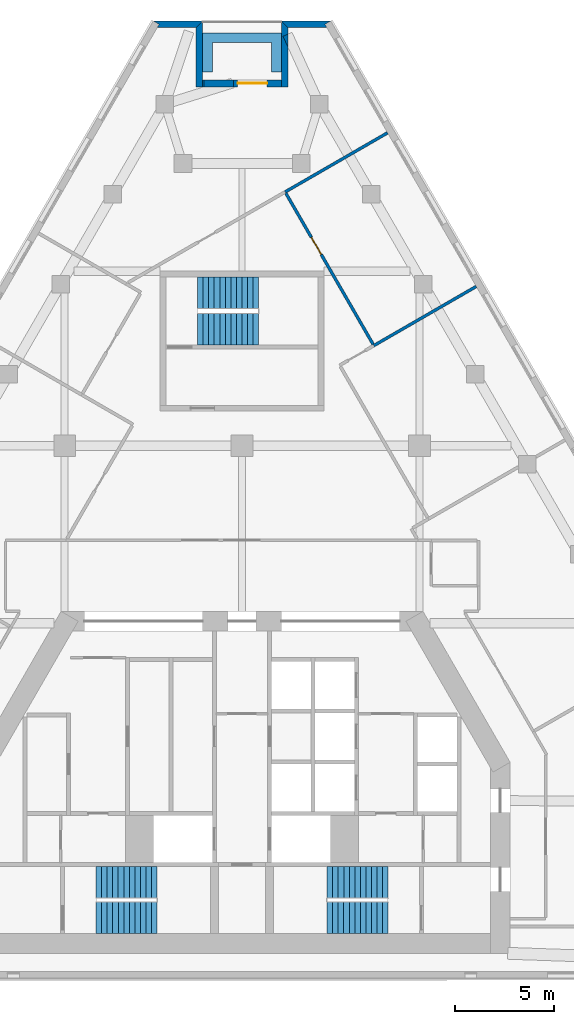
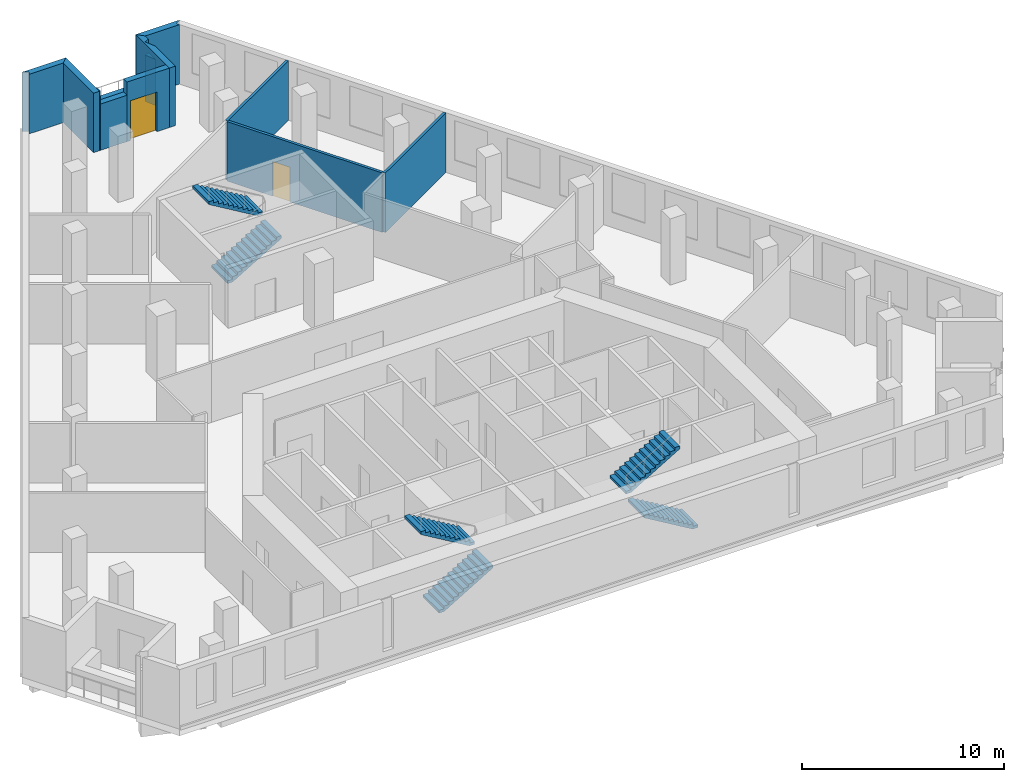
# One storey, part 8 of 9: 12 walls, 6 stair flights, 2 doors, 2 openings, 3 elements without a shape of their own.
"""IFC4 building model written with IfcOpenShell, lengths in metres."""

from ifc_helpers import new_model, si_unit, direction, frame, frame_2d, origin, place, context, subcontext, project, spatial, polyline, rectangle, outline, extrude, material, layer, layer_set, type_object, element, fill, aggregate, save


model = new_model("IFC4")

# Units and contexts
model_context = context("Model", 3, precision=1e-05, world=origin(), true_north=direction((0.0, 1.0)))
body_context = subcontext(model_context, "Body", "Model", "MODEL_VIEW")
ifc_project = project(units=[si_unit("LENGTHUNIT", "METRE"), si_unit("AREAUNIT", "SQUARE_METRE"), si_unit("VOLUMEUNIT", "CUBIC_METRE"), si_unit("PLANEANGLEUNIT", "RADIAN"), si_unit("MASSUNIT", "GRAM", prefix="KILO")], contexts=[model_context])

# Site, building, storey
site_placement = place(None, origin())
site = spatial("IfcSite", under=ifc_project, at=site_placement, CompositionType="ELEMENT")
building_placement = place(site_placement, origin())
building = spatial("IfcBuilding", under=site, at=building_placement, Name="Fogline Exchange Tower", CompositionType="ELEMENT")
storey_placement = place(building_placement, frame((0.0, 0.0, 186.10009765625)))
storey = spatial("IfcBuildingStorey", under=building, at=storey_placement, Name="L41", CompositionType="ELEMENT", Elevation=186.10009765625)

# Walls
ifc_material_1 = material(Name="Brick masonry", Category="masonry")
ifc_layer_1 = layer(ifc_material_1, 0.340087890625)
ifc_layer_set_1 = layer_set([ifc_layer_1], Name="FW1")
wall_type_1 = type_object("IfcWallType", Name="FW1", PredefinedType="SOLIDWALL", material=ifc_layer_set_1)
wall_1_placement = place(storey_placement, origin())
element("IfcWall", 1, at=wall_1_placement, inside=storey, type_object=wall_type_1, Name="Brick wall L41 N-c1", PredefinedType="SOLIDWALL", context=body_context, shape_type="SweptSolid", body=[
    extrude(outline(polyline([(1.9990234375, 48.55224609375), (4.5009765625, 48.55224609375), (4.501220703125, 48.5517578125), (4.206298828125, 48.38134765625), (4.3046875, 48.2109375), (2.33984375, 48.2109375), (1.998779296875, 48.552001953125), (1.9990234375, 48.55224609375)])), origin(), (0.0, 0.0, 1.0), 3.599853515625),
])
wall_2_placement = place(storey_placement, origin())
element("IfcWall", 2, at=wall_2_placement, inside=storey, type_object=wall_type_1, Name="Brick wall L41 N-s1", PredefinedType="SOLIDWALL", context=body_context, shape_type="SweptSolid", body=[
    extrude(outline(polyline([(2.340576171875, 47.19775390625), (2.0791015625, 47.7724609375), (2.340576171875, 47.8916015625), (2.340576171875, 47.19775390625)])), origin(), (0.0, 0.0, 1.0), 2.7998046875),
])
wall_3_placement = place(storey_placement, origin())
element("IfcWall", 3, at=wall_3_placement, inside=storey, type_object=wall_type_1, Name="Brick wall L41 N-s1", PredefinedType="SOLIDWALL", context=body_context, shape_type="SweptSolid", body=[
    extrude(outline(polyline([(1.99951171875, 45.2109375), (1.99951171875, 48.552734375), (1.999755859375, 48.552734375), (2.340576171875, 48.2119140625), (2.340576171875, 47.8916015625), (2.0791015625, 47.7724609375), (2.340576171875, 47.19775390625), (2.340576171875, 45.2109375), (1.99951171875, 45.2109375)])), origin(), (0.0, 0.0, 1.0), 3.599853515625),
])

# Wall, opening, door
wall_4_placement = place(storey_placement, frame((2.0, 45.381591796875, 0.0), z_axis=(0.0, 0.0, 1.0), x_axis=(-1.0, 0.0, 0.0)))
wall_4 = element("IfcWall", 4, at=wall_4_placement, inside=storey, type_object=wall_type_1, Name="Brick wall L41 N-bk", PredefinedType="SOLIDWALL", context=body_context, shape_type="SweptSolid", body=[
    extrude(rectangle(XDim=2.425048828125, YDim=0.340087890625, at=frame_2d((1.21240234375, 0.0))), origin(), (0.0, 0.0, 1.0), 3.599853515625),
])
opening_1_placement = place(wall_4_placement, frame((0.72509765625, 0.0, 0.0)))
opening_1 = element("IfcOpeningElement", 5, at=opening_1_placement, cuts=wall_4, Name="Opening T13-E141", PredefinedType="OPENING", context=body_context, shape_type="SweptSolid", body=[
    extrude(rectangle(XDim=1.5, YDim=2.39990234375, at=frame_2d((0.75, 1.199951171875))), frame((0.0, 0.18017578125, 0.0), z_axis=(0.0, -1.0, 0.0), x_axis=(1.0, 0.0, 0.0)), (0.0, 0.0, 1.0), 0.360107421875),
])
ifc_material_2 = material(Name="Aluminium and glass", Category="aluminium")
door_type_1 = type_object("IfcDoorType", Name="ED4", OperationType="SINGLE_SWING_LEFT", PredefinedType="DOOR", material=ifc_material_2)
door_1_placement = place(opening_1_placement, frame((1.5, 0.0, 0.0), z_axis=(0.0, 0.0, 1.0), x_axis=(-1.0, 0.0, 0.0)))
door_1 = element("IfcDoor", 6, at=door_1_placement, inside=storey, type_object=door_type_1, Name="Balcony door L41 N", OperationType="DOUBLE_DOOR_SINGLE_SWING", OverallHeight=2.39990234375, OverallWidth=1.5, PredefinedType="DOOR", context=body_context, shape_type="SweptSolid", body=[
    extrude(rectangle(XDim=1.5, YDim=2.39990234375, at=frame_2d((0.75, 1.199951171875))), frame((0.0, 0.02490234375, 0.0), z_axis=(0.0, -1.0, 0.0), x_axis=(1.0, 0.0, 0.0)), (0.0, 0.0, 1.0), 0.050048828125),
])
fill(opening_1, door_1)

# Walls
wall_5_placement = place(storey_placement, frame((-0.425048828125, 45.381591796875, 0.0), z_axis=(0.0, 0.0, 1.0), x_axis=(-1.0, 0.0, 0.0)))
element("IfcWall", 7, at=wall_5_placement, inside=storey, type_object=wall_type_1, Name="Brick wall L41 N-bk", PredefinedType="SOLIDWALL", context=body_context, shape_type="SweptSolid", body=[
    extrude(rectangle(XDim=1.50634765625, YDim=0.340087890625, at=frame_2d((0.753173828125, 0.0))), origin(), (0.0, 0.0, 1.0), 2.7998046875),
])
wall_6_placement = place(storey_placement, frame((-1.931396484375, 45.381591796875, 0.0), z_axis=(0.0, 0.0, 1.0), x_axis=(-1.0, 0.0, 0.0)))
element("IfcWall", 8, at=wall_6_placement, inside=storey, type_object=wall_type_1, Name="Brick wall L41 N-bk", PredefinedType="SOLIDWALL", context=body_context, shape_type="SweptSolid", body=[
    extrude(rectangle(XDim=0.068603515625, YDim=0.340087890625, at=frame_2d((0.0341796875, 0.0))), origin(), (0.0, 0.0, 1.0), 3.599853515625),
])
wall_7_placement = place(storey_placement, origin())
element("IfcWall", 9, at=wall_7_placement, inside=storey, type_object=wall_type_1, Name="Brick wall L41 N-s2", PredefinedType="SOLIDWALL", context=body_context, shape_type="SweptSolid", body=[
    extrude(outline(polyline([(-1.99951171875, 48.552734375), (-1.99951171875, 45.2109375), (-2.340576171875, 45.2109375), (-2.340576171875, 48.2119140625), (-1.999755859375, 48.552734375), (-1.99951171875, 48.552734375)])), origin(), (0.0, 0.0, 1.0), 3.599853515625),
])
wall_8_placement = place(storey_placement, origin())
element("IfcWall", 10, at=wall_8_placement, inside=storey, type_object=wall_type_1, Name="Brick wall L41 N-c2", PredefinedType="SOLIDWALL", context=body_context, shape_type="SweptSolid", body=[
    extrude(outline(polyline([(-4.3046875, 48.2109375), (-4.206298828125, 48.38134765625), (-4.501220703125, 48.5517578125), (-4.5009765625, 48.55224609375), (-1.9990234375, 48.55224609375), (-1.998779296875, 48.552001953125), (-2.33984375, 48.2109375), (-4.3046875, 48.2109375)])), origin(), (0.0, 0.0, 1.0), 3.599853515625),
])
ifc_material_3 = material(Name="Concrete C30", Category="concrete")
ifc_layer_2 = layer(ifc_material_3, 0.199951171875)
ifc_layer_set_2 = layer_set([ifc_layer_2], Name="PL1")
wall_type_2 = type_object("IfcWallType", Name="PL1", PredefinedType="USERDEFINED", material=ifc_layer_set_2)
wall_9_placement = place(storey_placement, origin())
element("IfcWall", 11, at=wall_9_placement, inside=storey, type_object=wall_type_2, Name="PLANTER balcony L41 N", ObjectType="PLANTER", PredefinedType="USERDEFINED", context=body_context, shape_type="SweptSolid", body=[
    extrude(outline(polyline([(-1.5, 47.95166015625), (-2.0, 47.95166015625), (-2.0, 47.45166015625), (-2.0, 45.95166015625), (-1.5, 45.95166015625), (-1.5, 47.45166015625), (1.5, 47.45166015625), (1.5, 45.95166015625), (2.0, 45.95166015625), (2.0, 47.45166015625), (2.0, 47.95166015625), (1.5, 47.95166015625), (-1.5, 47.95166015625)])), origin(), (0.0, 0.0, 1.0), 1.099853515625),
])
ifc_material_4 = material(Name="Plasterboard demising partition with mineral wool and acoustic board")
ifc_layer_3 = layer(ifc_material_4, 0.14990234375)
ifc_layer_set_3 = layer_set([ifc_layer_3], Name="PW3")
wall_type_3 = type_object("IfcWallType", Name="PW3", PredefinedType="PARTITIONING", material=ifc_layer_set_3)
wall_10_placement = place(storey_placement, frame((6.6865234375, 32.084228515625, 0.0), z_axis=(0.0, 0.0, 1.0), x_axis=(0.866031096941, 0.499990139034, 0.0)))
element("IfcWall", 12, at=wall_10_placement, inside=storey, type_object=wall_type_3, Name="wall-L41-W027", PredefinedType="PARTITIONING", context=body_context, shape_type="SweptSolid", body=[
    extrude(rectangle(XDim=6.0, YDim=0.14990234375, at=frame_2d((3.0, 0.0))), origin(), (0.0, 0.0, 1.0), 3.599853515625),
])

# Wall, opening, door
wall_11_placement = place(storey_placement, frame((6.649169921875, 32.1494140625, 0.0), z_axis=(0.0, 0.0, 1.0), x_axis=(-0.50001697323, 0.866015604063, 0.0)))
wall_11 = element("IfcWall", 13, at=wall_11_placement, inside=storey, type_object=wall_type_3, Name="wall-L41-W030", PredefinedType="PARTITIONING", context=body_context, shape_type="SweptSolid", body=[
    extrude(rectangle(XDim=8.849853515625, YDim=0.14990234375, at=frame_2d((4.4248046875, 0.0))), origin(), (0.0, 0.0, 1.0), 3.599853515625),
])
opening_2_placement = place(wall_11_placement, frame((5.26123046875, 0.0, 0.0)))
opening_2 = element("IfcOpeningElement", 14, at=opening_2_placement, cuts=wall_11, Name="Opening T13-D009", PredefinedType="OPENING", context=body_context, shape_type="SweptSolid", body=[
    extrude(rectangle(XDim=1.0, YDim=2.10009765625, at=frame_2d((0.5, 1.050048828125))), frame((0.0, 0.0849609375, 0.0), z_axis=(0.0, -1.0, 0.0), x_axis=(1.0, 0.0, 0.0)), (0.0, 0.0, 1.0), 0.169921875),
])
ifc_material_5 = material(Name="Fire-rated timber door leaf with steel frame", Category="steel")
door_type_2 = type_object("IfcDoorType", Name="D3", OperationType="SINGLE_SWING_LEFT", PredefinedType="DOOR", material=ifc_material_5)
door_2_placement = place(opening_2_placement, frame((1.0, 0.0, 0.0), z_axis=(0.0, 0.0, 1.0), x_axis=(-1.0, 0.0, 0.0)))
door_2 = element("IfcDoor", 15, at=door_2_placement, inside=storey, type_object=door_type_2, Name="door-L41-D009", OperationType="SINGLE_SWING_LEFT", OverallHeight=2.10009765625, OverallWidth=1.0, PredefinedType="DOOR", context=body_context, shape_type="SweptSolid", body=[
    extrude(rectangle(XDim=1.0, YDim=2.10009765625, at=frame_2d((0.5, 1.050048828125))), frame((0.0, 0.02490234375, 0.0), z_axis=(0.0, -1.0, 0.0), x_axis=(1.0, 0.0, 0.0)), (0.0, 0.0, 1.0), 0.050048828125),
])
fill(opening_2, door_2)

# Wall
wall_12_placement = place(storey_placement, frame((2.1865234375, 39.87841796875, 0.0), z_axis=(0.0, 0.0, 1.0), x_axis=(0.866031096941, 0.499990139034, 0.0)))
element("IfcWall", 16, at=wall_12_placement, inside=storey, type_object=wall_type_3, Name="wall-L41-W031", PredefinedType="PARTITIONING", context=body_context, shape_type="SweptSolid", body=[
    extrude(rectangle(XDim=6.0, YDim=0.14990234375, at=frame_2d((3.0, 0.0))), origin(), (0.0, 0.0, 1.0), 3.599853515625),
])

# Stair, stair flights
ifc_material_6 = material(Name="Concrete C40", Category="concrete")
stair_type = type_object("IfcStairType", Name="STR24-1667", PredefinedType="HALF_TURN_STAIR", material=ifc_material_6)
stair_1_placement = place(storey_placement, origin())
stair_1 = element("IfcStair", 17, at=stair_1_placement, inside=storey, type_object=stair_type, Name="Stair ST1", PredefinedType="HALF_TURN_STAIR")
stair_flight_type = type_object("IfcStairFlightType", Name="SF12-1667", PredefinedType="STRAIGHT", material=ifc_material_6)
stair_flight_1_placement = place(storey_placement, frame((-7.39990234375, 3.050048828125, 0.0), z_axis=(0.0, 0.0, 1.0), x_axis=(1.0, 0.0, 0.0)))
stair_flight_1 = element("IfcStairFlight", 18, at=stair_flight_1_placement, type_object=stair_flight_type, Name="ST1 flight 1", NumberOfRisers=12, NumberOfTreads=11, PredefinedType="STRAIGHT", RiserHeight=0.166666667, TreadLength=0.28, context=body_context, shape_type="SweptSolid", body=[
    extrude(outline(polyline([(0.0, 0.0), (0.0, 0.166748046875), (0.280029296875, 0.166748046875), (0.280029296875, 0.333251953125), (0.56005859375, 0.333251953125), (0.56005859375, 0.5), (0.840087890625, 0.5), (0.840087890625, 0.666748046875), (1.1201171875, 0.666748046875), (1.1201171875, 0.833251953125), (1.39990234375, 0.833251953125), (1.39990234375, 1.0), (1.679931640625, 1.0), (1.679931640625, 1.166748046875), (1.9599609375, 1.166748046875), (1.9599609375, 1.333251953125), (2.239990234375, 1.333251953125), (2.239990234375, 1.5), (2.52001953125, 1.5), (2.52001953125, 1.666748046875), (2.800048828125, 1.666748046875), (2.800048828125, 1.833251953125), (3.080078125, 1.833251953125), (3.080078125, 2.0), (3.080078125, 1.658935546875), (0.29296875, 0.0), (0.0, 0.0)])), frame((0.0, 0.800048828125, 0.0), z_axis=(0.0, -1.0, 0.0), x_axis=(1.0, 0.0, 0.0)), (0.0, 0.0, 1.0), 1.60009765625),
])
stair_flight_2_placement = place(storey_placement, frame((-4.320068359375, 4.85009765625, 2.0), z_axis=(0.0, 0.0, 1.0), x_axis=(-1.0, 0.0, 0.0)))
stair_flight_2 = element("IfcStairFlight", 19, at=stair_flight_2_placement, type_object=stair_flight_type, Name="ST1 flight 2", NumberOfRisers=12, NumberOfTreads=11, PredefinedType="STRAIGHT", RiserHeight=0.166666667, TreadLength=0.28, context=body_context, shape_type="SweptSolid", body=[
    extrude(outline(polyline([(0.0, 0.0), (0.0, 0.166748046875), (0.280029296875, 0.166748046875), (0.280029296875, 0.333251953125), (0.56005859375, 0.333251953125), (0.56005859375, 0.5), (0.840087890625, 0.5), (0.840087890625, 0.666748046875), (1.1201171875, 0.666748046875), (1.1201171875, 0.833251953125), (1.39990234375, 0.833251953125), (1.39990234375, 1.0), (1.679931640625, 1.0), (1.679931640625, 1.166748046875), (1.9599609375, 1.166748046875), (1.9599609375, 1.333251953125), (2.239990234375, 1.333251953125), (2.239990234375, 1.5), (2.52001953125, 1.5), (2.52001953125, 1.666748046875), (2.800048828125, 1.666748046875), (2.800048828125, 1.833251953125), (3.080078125, 1.833251953125), (3.080078125, 2.0), (3.080078125, 1.658935546875), (0.29296875, 0.0), (0.0, 0.0)])), frame((0.0, 0.800048828125, 0.0), z_axis=(0.0, -1.0, 0.0), x_axis=(1.0, 0.0, 0.0)), (0.0, 0.0, 1.0), 1.60009765625),
])
aggregate(stair_1, [stair_flight_1, stair_flight_2])

stair_2_placement = place(storey_placement, origin())
stair_2 = element("IfcStair", 20, at=stair_2_placement, inside=storey, type_object=stair_type, Name="Stair ST2", PredefinedType="HALF_TURN_STAIR")
stair_flight_3_placement = place(storey_placement, frame((7.39990234375, 3.050048828125, 0.0), z_axis=(0.0, 0.0, 1.0), x_axis=(-1.0, 0.0, 0.0)))
stair_flight_3 = element("IfcStairFlight", 21, at=stair_flight_3_placement, type_object=stair_flight_type, Name="ST2 flight 1", NumberOfRisers=12, NumberOfTreads=11, PredefinedType="STRAIGHT", RiserHeight=0.166666667, TreadLength=0.28, context=body_context, shape_type="SweptSolid", body=[
    extrude(outline(polyline([(0.0, 0.0), (0.0, 0.166748046875), (0.280029296875, 0.166748046875), (0.280029296875, 0.333251953125), (0.56005859375, 0.333251953125), (0.56005859375, 0.5), (0.840087890625, 0.5), (0.840087890625, 0.666748046875), (1.1201171875, 0.666748046875), (1.1201171875, 0.833251953125), (1.39990234375, 0.833251953125), (1.39990234375, 1.0), (1.679931640625, 1.0), (1.679931640625, 1.166748046875), (1.9599609375, 1.166748046875), (1.9599609375, 1.333251953125), (2.239990234375, 1.333251953125), (2.239990234375, 1.5), (2.52001953125, 1.5), (2.52001953125, 1.666748046875), (2.800048828125, 1.666748046875), (2.800048828125, 1.833251953125), (3.080078125, 1.833251953125), (3.080078125, 2.0), (3.080078125, 1.658935546875), (0.29296875, 0.0), (0.0, 0.0)])), frame((0.0, 0.800048828125, 0.0), z_axis=(0.0, -1.0, 0.0), x_axis=(1.0, 0.0, 0.0)), (0.0, 0.0, 1.0), 1.60009765625),
])
stair_flight_4_placement = place(storey_placement, frame((4.320068359375, 4.85009765625, 2.0), z_axis=(0.0, 0.0, 1.0), x_axis=(1.0, 0.0, 0.0)))
stair_flight_4 = element("IfcStairFlight", 22, at=stair_flight_4_placement, type_object=stair_flight_type, Name="ST2 flight 2", NumberOfRisers=12, NumberOfTreads=11, PredefinedType="STRAIGHT", RiserHeight=0.166666667, TreadLength=0.28, context=body_context, shape_type="SweptSolid", body=[
    extrude(outline(polyline([(0.0, 0.0), (0.0, 0.166748046875), (0.280029296875, 0.166748046875), (0.280029296875, 0.333251953125), (0.56005859375, 0.333251953125), (0.56005859375, 0.5), (0.840087890625, 0.5), (0.840087890625, 0.666748046875), (1.1201171875, 0.666748046875), (1.1201171875, 0.833251953125), (1.39990234375, 0.833251953125), (1.39990234375, 1.0), (1.679931640625, 1.0), (1.679931640625, 1.166748046875), (1.9599609375, 1.166748046875), (1.9599609375, 1.333251953125), (2.239990234375, 1.333251953125), (2.239990234375, 1.5), (2.52001953125, 1.5), (2.52001953125, 1.666748046875), (2.800048828125, 1.666748046875), (2.800048828125, 1.833251953125), (3.080078125, 1.833251953125), (3.080078125, 2.0), (3.080078125, 1.658935546875), (0.29296875, 0.0), (0.0, 0.0)])), frame((0.0, 0.800048828125, 0.0), z_axis=(0.0, -1.0, 0.0), x_axis=(1.0, 0.0, 0.0)), (0.0, 0.0, 1.0), 1.60009765625),
])
aggregate(stair_2, [stair_flight_3, stair_flight_4])

stair_3_placement = place(storey_placement, origin())
stair_3 = element("IfcStair", 23, at=stair_3_placement, inside=storey, type_object=stair_type, Name="Stair ST3", PredefinedType="HALF_TURN_STAIR")
stair_flight_5_placement = place(storey_placement, frame((-2.25, 32.906982421875, 0.0), z_axis=(0.0, 0.0, 1.0), x_axis=(1.0, 0.0, 0.0)))
stair_flight_5 = element("IfcStairFlight", 24, at=stair_flight_5_placement, type_object=stair_flight_type, Name="ST3 flight 1", NumberOfRisers=12, NumberOfTreads=11, PredefinedType="STRAIGHT", RiserHeight=0.166666667, TreadLength=0.28, context=body_context, shape_type="SweptSolid", body=[
    extrude(outline(polyline([(0.0, 0.0), (0.0, 0.166748046875), (0.280029296875, 0.166748046875), (0.280029296875, 0.333251953125), (0.56005859375, 0.333251953125), (0.56005859375, 0.5), (0.840087890625, 0.5), (0.840087890625, 0.666748046875), (1.1201171875, 0.666748046875), (1.1201171875, 0.833251953125), (1.39990234375, 0.833251953125), (1.39990234375, 1.0), (1.679931640625, 1.0), (1.679931640625, 1.166748046875), (1.9599609375, 1.166748046875), (1.9599609375, 1.333251953125), (2.239990234375, 1.333251953125), (2.239990234375, 1.5), (2.52001953125, 1.5), (2.52001953125, 1.666748046875), (2.800048828125, 1.666748046875), (2.800048828125, 1.833251953125), (3.080078125, 1.833251953125), (3.080078125, 2.0), (3.080078125, 1.658935546875), (0.29296875, 0.0), (0.0, 0.0)])), frame((0.0, 0.800048828125, 0.0), z_axis=(0.0, -1.0, 0.0), x_axis=(1.0, 0.0, 0.0)), (0.0, 0.0, 1.0), 1.60009765625),
])
stair_flight_6_placement = place(storey_placement, frame((0.830078125, 34.757080078125, 2.0), z_axis=(0.0, 0.0, 1.0), x_axis=(-1.0, 0.0, 0.0)))
stair_flight_6 = element("IfcStairFlight", 25, at=stair_flight_6_placement, type_object=stair_flight_type, Name="ST3 flight 2", NumberOfRisers=12, NumberOfTreads=11, PredefinedType="STRAIGHT", RiserHeight=0.166666667, TreadLength=0.28, context=body_context, shape_type="SweptSolid", body=[
    extrude(outline(polyline([(0.0, 0.0), (0.0, 0.166748046875), (0.280029296875, 0.166748046875), (0.280029296875, 0.333251953125), (0.56005859375, 0.333251953125), (0.56005859375, 0.5), (0.840087890625, 0.5), (0.840087890625, 0.666748046875), (1.1201171875, 0.666748046875), (1.1201171875, 0.833251953125), (1.39990234375, 0.833251953125), (1.39990234375, 1.0), (1.679931640625, 1.0), (1.679931640625, 1.166748046875), (1.9599609375, 1.166748046875), (1.9599609375, 1.333251953125), (2.239990234375, 1.333251953125), (2.239990234375, 1.5), (2.52001953125, 1.5), (2.52001953125, 1.666748046875), (2.800048828125, 1.666748046875), (2.800048828125, 1.833251953125), (3.080078125, 1.833251953125), (3.080078125, 2.0), (3.080078125, 1.658935546875), (0.29296875, 0.0), (0.0, 0.0)])), frame((0.0, 0.800048828125, 0.0), z_axis=(0.0, -1.0, 0.0), x_axis=(1.0, 0.0, 0.0)), (0.0, 0.0, 1.0), 1.60009765625),
])
aggregate(stair_3, [stair_flight_5, stair_flight_6])

save(model, "model.ifc")
